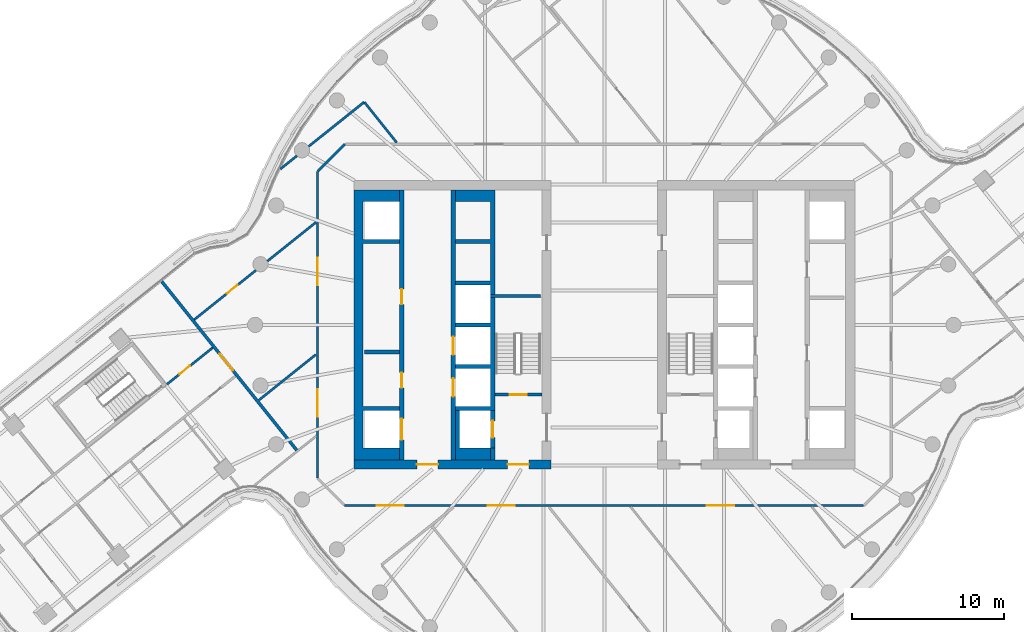
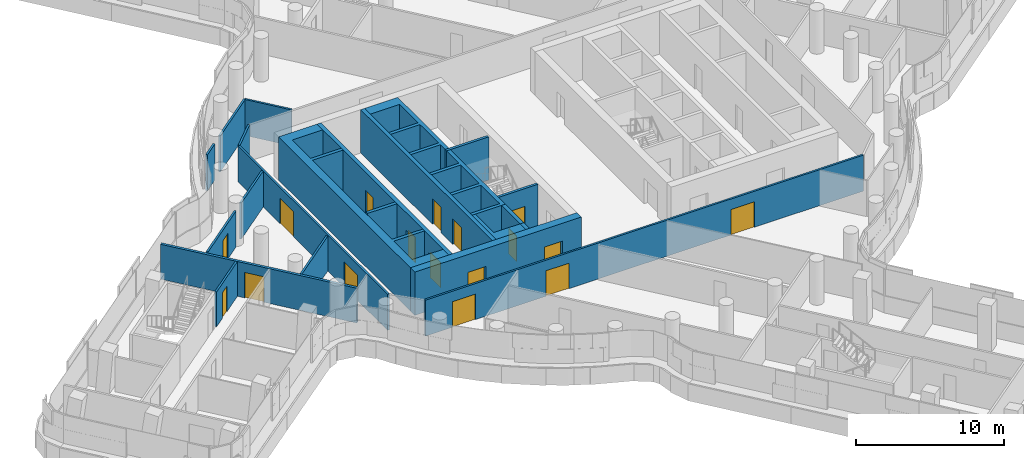
# One storey, part 20 of 31: 22 walls, 17 doors, 17 openings.
"""IFC4 building model written with IfcOpenShell, lengths in metres."""

from ifc_helpers import new_model, si_unit, direction, frame, frame_2d, origin, place, context, subcontext, project, spatial, polyline, rectangle, outline, extrude, material, layer, layer_set, type_object, element, fill, save


model = new_model("IFC4")

# Units and contexts
model_context = context("Model", 3, precision=1e-05, world=origin(), true_north=direction((0.0, 1.0)))
body_context = subcontext(model_context, "Body", "Model", "MODEL_VIEW")
ifc_project = project(units=[si_unit("LENGTHUNIT", "METRE"), si_unit("AREAUNIT", "SQUARE_METRE"), si_unit("VOLUMEUNIT", "CUBIC_METRE"), si_unit("PLANEANGLEUNIT", "RADIAN"), si_unit("MASSUNIT", "GRAM", prefix="KILO")], contexts=[model_context])

# Site, building, storey
site_placement = place(None, origin())
site = spatial("IfcSite", under=ifc_project, at=site_placement, CompositionType="ELEMENT")
building_placement = place(site_placement, origin())
building = spatial("IfcBuilding", under=site, at=building_placement, Name="Tamarind Cross Interchange Tower", CompositionType="ELEMENT")
storey_placement = place(building_placement, frame((0.0, 0.0, 174.25)))
storey = spatial("IfcBuildingStorey", under=building, at=storey_placement, Name="L43", CompositionType="ELEMENT", Elevation=174.25)

# Wall, openings, doors
ifc_material_1 = material(Name="Concrete C60", Category="concrete")
ifc_layer_1 = layer(ifc_material_1, 0.60009765625)
ifc_layer_set_1 = layer_set([ifc_layer_1], Name="Concrete C60")
wall_type_1 = type_object("IfcWallType", Name="Core wall 600 mm Concrete C60", PredefinedType="SHEAR", material=ifc_layer_set_1)
wall_1_placement = place(storey_placement, frame((-16.5, -9.199951171875, 0.0), z_axis=(0.0, 0.0, 1.0), x_axis=(1.0, 0.0, 0.0)))
wall_1 = element("IfcWall", 1, at=wall_1_placement, inside=storey, type_object=wall_type_1, Name="Core wall CWL-L43-W-S", PredefinedType="SHEAR", context=body_context, shape_type="SweptSolid", body=[
    extrude(rectangle(XDim=13.0, YDim=0.60009765625, at=frame_2d((6.5, 0.0))), origin(), (0.0, 0.0, 1.0), 3.570068359375),
])
opening_1_placement = place(wall_1_placement, frame((4.14990234375, 0.0, 0.0)))
opening_1 = element("IfcOpeningElement", 2, at=opening_1_placement, cuts=wall_1, Name="Opening DCW1", PredefinedType="OPENING", context=body_context, shape_type="SweptSolid", body=[
    extrude(rectangle(XDim=1.39990234375, YDim=2.10009765625, at=frame_2d((0.699951171875, 1.050048828125))), frame((0.0, 0.31005859375, 0.0), z_axis=(0.0, -1.0, 0.0), x_axis=(1.0, 0.0, 0.0)), (0.0, 0.0, 1.0), 0.6201171875),
])
opening_2_placement = place(wall_1_placement, frame((10.125, 0.0, 0.0)))
opening_2 = element("IfcOpeningElement", 3, at=opening_2_placement, cuts=wall_1, Name="Opening DCWF", PredefinedType="OPENING", context=body_context, shape_type="SweptSolid", body=[
    extrude(rectangle(XDim=1.39990234375, YDim=2.10009765625, at=frame_2d((0.699951171875, 1.050048828125))), frame((0.0, 0.31005859375, 0.0), z_axis=(0.0, -1.0, 0.0), x_axis=(1.0, 0.0, 0.0)), (0.0, 0.0, 1.0), 0.6201171875),
])
ifc_material_2 = material(Name="Steel, fire-resisting", Category="steel")
door_type_1 = type_object("IfcDoorType", Name="Core fire door 1400 x 2100 FD90", OperationType="SINGLE_SWING_LEFT", PredefinedType="DOOR", material=ifc_material_2)
door_1_placement = place(opening_1_placement, origin())
door_1 = element("IfcDoor", 4, at=door_1_placement, inside=storey, type_object=door_type_1, Name="L43 lift lobby door", OperationType="SINGLE_SWING_LEFT", OverallHeight=2.10009765625, OverallWidth=1.39990234375, PredefinedType="DOOR", context=body_context, shape_type="SweptSolid", body=[
    extrude(rectangle(XDim=1.39990234375, YDim=2.10009765625, at=frame_2d((0.699951171875, 1.050048828125))), frame((0.0, 0.02490234375, 0.0), z_axis=(0.0, -1.0, 0.0), x_axis=(1.0, 0.0, 0.0)), (0.0, 0.0, 1.0), 0.050048828125),
])
fill(opening_1, door_1)
door_2_placement = place(opening_2_placement, origin())
door_2 = element("IfcDoor", 5, at=door_2_placement, inside=storey, type_object=door_type_1, Name="L43 firefighting lobby end door", OperationType="SINGLE_SWING_LEFT", OverallHeight=2.10009765625, OverallWidth=1.39990234375, PredefinedType="DOOR", context=body_context, shape_type="SweptSolid", body=[
    extrude(rectangle(XDim=1.39990234375, YDim=2.10009765625, at=frame_2d((0.699951171875, 1.050048828125))), frame((0.0, 0.02490234375, 0.0), z_axis=(0.0, -1.0, 0.0), x_axis=(1.0, 0.0, 0.0)), (0.0, 0.0, 1.0), 0.050048828125),
])
fill(opening_2, door_2)

# Walls
wall_2_placement = place(storey_placement, origin())
element("IfcWall", 6, at=wall_2_placement, inside=storey, type_object=wall_type_1, Name="Core wall CWL-L43-W-A", PredefinedType="SHEAR", context=body_context, shape_type="SweptSolid", body=[
    extrude(outline(polyline([(-13.5, -8.125), (-15.89990234375, -8.125), (-15.89990234375, -5.625), (-13.5, -5.625), (-13.5, -5.375), (-15.89990234375, -5.375), (-15.89990234375, 5.375), (-13.5, 5.375), (-13.5, 5.625), (-15.89990234375, 5.625), (-15.89990234375, 8.125), (-13.5, 8.125), (-13.5, 8.89990234375), (-15.89990234375, 8.89990234375), (-16.5, 8.89990234375), (-16.5, -8.89990234375), (-15.89990234375, -8.89990234375), (-13.5, -8.89990234375), (-13.5, -8.125)])), origin(), (0.0, 0.0, 1.0), 3.570068359375),
])
ifc_layer_2 = layer(ifc_material_1, 0.199951171875)
ifc_layer_set_2 = layer_set([ifc_layer_2], Name="Concrete C60")
wall_type_2 = type_object("IfcWallType", Name="Core web wall 200 mm Concrete C60", PredefinedType="SHEAR", material=ifc_layer_set_2)
wall_3_placement = place(storey_placement, frame((-7.5, 1.89990234375, 0.0), z_axis=(0.0, 0.0, 1.0), x_axis=(1.0, 0.0, 0.0)))
element("IfcWall", 7, at=wall_3_placement, inside=storey, type_object=wall_type_2, Name="Core wall CWL-L43-W-BD", PredefinedType="SHEAR", context=body_context, shape_type="SweptSolid", body=[
    extrude(rectangle(XDim=3.300048828125, YDim=0.199951171875, at=frame_2d((1.64990234375, 0.0))), origin(), (0.0, 0.0, 1.0), 3.570068359375),
])
ifc_layer_3 = layer(ifc_material_1, 0.300048828125)
ifc_layer_set_3 = layer_set([ifc_layer_3], Name="Concrete C60")
wall_type_3 = type_object("IfcWallType", Name="Core web wall 300 mm Concrete C60", PredefinedType="SHEAR", material=ifc_layer_set_3)
wall_4_placement = place(storey_placement, origin())
element("IfcWall", 8, at=wall_4_placement, inside=storey, type_object=wall_type_3, Name="Core wall CWL-L43-W-BN", PredefinedType="SHEAR", context=body_context, shape_type="SweptSolid", body=[
    extrude(outline(polyline([(-9.800048828125, -5.375), (-9.800048828125, -5.625), (-7.5, -5.625), (-7.199951171875, -5.625), (-7.199951171875, 8.89990234375), (-7.5, 8.89990234375), (-9.800048828125, 8.89990234375), (-9.800048828125, 8.125), (-7.5, 8.125), (-7.5, 5.625), (-9.800048828125, 5.625), (-9.800048828125, 5.375), (-7.5, 5.375), (-7.5, 2.875), (-9.800048828125, 2.875), (-9.800048828125, 2.625), (-7.5, 2.625), (-7.5, 0.125), (-9.800048828125, 0.125), (-9.800048828125, -0.125), (-7.5, -0.125), (-7.5, -2.625), (-9.800048828125, -2.625), (-9.800048828125, -2.875), (-7.5, -2.875), (-7.5, -5.375), (-9.800048828125, -5.375)])), origin(), (0.0, 0.0, 1.0), 3.570068359375),
])
wall_5_placement = place(storey_placement, origin())
element("IfcWall", 9, at=wall_5_placement, inside=storey, type_object=wall_type_3, Name="Core wall CWL-L43-W-BS", PredefinedType="SHEAR", context=body_context, shape_type="SweptSolid", body=[
    extrude(outline(polyline([(-7.5, -8.125), (-9.550048828125, -8.125), (-9.550048828125, -5.625), (-9.800048828125, -5.625), (-9.800048828125, -8.125), (-9.800048828125, -8.89990234375), (-7.5, -8.89990234375), (-7.5, -8.125)])), origin(), (0.0, 0.0, 1.0), 3.570068359375),
])
wall_6_placement = place(storey_placement, frame((-7.35009765625, -8.89990234375, 0.0), z_axis=(0.0, 0.0, 1.0), x_axis=(0.0, 1.0, 0.0)))
element("IfcWall", 10, at=wall_6_placement, inside=storey, type_object=wall_type_3, Name="Core wall CWL-L43-W-BW", PredefinedType="SHEAR", context=body_context, shape_type="SweptSolid", body=[
    extrude(rectangle(XDim=0.77490234375, YDim=0.300048828125, at=frame_2d((0.387451171875, 0.0))), origin(), (0.0, 0.0, 1.0), 3.570068359375),
])

# Wall, openings, doors
wall_7_placement = place(storey_placement, frame((-13.35009765625, -8.89990234375, 0.0), z_axis=(0.0, 0.0, 1.0), x_axis=(0.0, 1.0, 0.0)))
wall_7 = element("IfcWall", 11, at=wall_7_placement, inside=storey, type_object=wall_type_3, Name="Core wall CWL-L43-W-LA", PredefinedType="SHEAR", context=body_context, shape_type="SweptSolid", body=[
    extrude(rectangle(XDim=17.7998046875, YDim=0.300048828125, at=frame_2d((8.89990234375, 0.0))), origin(), (0.0, 0.0, 1.0), 3.570068359375),
])
opening_3_placement = place(wall_7_placement, frame((1.324951171875, 0.0, 0.0)))
opening_3 = element("IfcOpeningElement", 12, at=opening_3_placement, cuts=wall_7, Name="Opening LD1L43", PredefinedType="OPENING", context=body_context, shape_type="SweptSolid", body=[
    extrude(rectangle(XDim=1.39990234375, YDim=2.10009765625, at=frame_2d((0.699951171875, 1.050048828125))), frame((0.0, 0.159912109375, 0.0), z_axis=(0.0, -1.0, 0.0), x_axis=(1.0, 0.0, 0.0)), (0.0, 0.0, 1.0), 0.320068359375),
])
opening_4_placement = place(wall_7_placement, frame((4.75390625, 0.0, 0.0)))
opening_4 = element("IfcOpeningElement", 13, at=opening_4_placement, cuts=wall_7, Name="Opening DCW9", PredefinedType="OPENING", context=body_context, shape_type="SweptSolid", body=[
    extrude(rectangle(XDim=1.0, YDim=2.10009765625, at=frame_2d((0.5, 1.050048828125))), frame((0.0, 0.159912109375, 0.0), z_axis=(0.0, -1.0, 0.0), x_axis=(1.0, 0.0, 0.0)), (0.0, 0.0, 1.0), 0.320068359375),
])
opening_5_placement = place(wall_7_placement, frame((10.25390625, 0.0, 0.0)))
opening_5 = element("IfcOpeningElement", 14, at=opening_5_placement, cuts=wall_7, Name="Opening DCW10", PredefinedType="OPENING", context=body_context, shape_type="SweptSolid", body=[
    extrude(rectangle(XDim=1.0, YDim=2.10009765625, at=frame_2d((0.5, 1.050048828125))), frame((0.0, 0.159912109375, 0.0), z_axis=(0.0, -1.0, 0.0), x_axis=(1.0, 0.0, 0.0)), (0.0, 0.0, 1.0), 0.320068359375),
])
door_type_2 = type_object("IfcDoorType", Name="Core fire door 1000 x 2100 FD90", OperationType="SINGLE_SWING_LEFT", PredefinedType="DOOR", material=ifc_material_2)
door_3_placement = place(opening_4_placement, origin())
door_3 = element("IfcDoor", 15, at=door_3_placement, inside=storey, type_object=door_type_2, Name="L43 Cleaner's store door", OperationType="SINGLE_SWING_LEFT", OverallHeight=2.10009765625, OverallWidth=1.0, PredefinedType="DOOR", context=body_context, shape_type="SweptSolid", body=[
    extrude(rectangle(XDim=1.0, YDim=2.10009765625, at=frame_2d((0.5, 1.050048828125))), frame((0.0, 0.02490234375, 0.0), z_axis=(0.0, -1.0, 0.0), x_axis=(1.0, 0.0, 0.0)), (0.0, 0.0, 1.0), 0.050048828125),
])
fill(opening_4, door_3)
door_4_placement = place(opening_5_placement, origin())
door_4 = element("IfcDoor", 16, at=door_4_placement, inside=storey, type_object=door_type_2, Name="L43 Print room door", OperationType="SINGLE_SWING_LEFT", OverallHeight=2.10009765625, OverallWidth=1.0, PredefinedType="DOOR", context=body_context, shape_type="SweptSolid", body=[
    extrude(rectangle(XDim=1.0, YDim=2.10009765625, at=frame_2d((0.5, 1.050048828125))), frame((0.0, 0.02490234375, 0.0), z_axis=(0.0, -1.0, 0.0), x_axis=(1.0, 0.0, 0.0)), (0.0, 0.0, 1.0), 0.050048828125),
])
fill(opening_5, door_4)
ifc_material_3 = material(Name="Stainless steel panel", Category="steel")
door_type_3 = type_object("IfcDoorType", Name="Lift landing door 1400 x 2100 E 120", OperationType="SLIDING_TO_LEFT", PredefinedType="DOOR", material=ifc_material_3)
door_5_placement = place(opening_3_placement, origin())
door_5 = element("IfcDoor", 17, at=door_5_placement, inside=storey, type_object=door_type_3, Name="L43 landing door LF1", OperationType="SLIDING_TO_LEFT", OverallHeight=2.10009765625, OverallWidth=1.39990234375, PredefinedType="DOOR", context=body_context, shape_type="SweptSolid", body=[
    extrude(rectangle(XDim=1.39990234375, YDim=2.10009765625, at=frame_2d((0.699951171875, 1.050048828125))), frame((0.0, 0.02490234375, 0.0), z_axis=(0.0, -1.0, 0.0), x_axis=(1.0, 0.0, 0.0)), (0.0, 0.0, 1.0), 0.050048828125),
])
fill(opening_3, door_5)

wall_8_placement = place(storey_placement, frame((-9.949951171875, -8.89990234375, 0.0), z_axis=(0.0, 0.0, 1.0), x_axis=(0.0, 1.0, 0.0)))
wall_8 = element("IfcWall", 18, at=wall_8_placement, inside=storey, type_object=wall_type_3, Name="Core wall CWL-L43-W-LB", PredefinedType="SHEAR", context=body_context, shape_type="SweptSolid", body=[
    extrude(rectangle(XDim=17.7998046875, YDim=0.300048828125, at=frame_2d((8.89990234375, 0.0))), origin(), (0.0, 0.0, 1.0), 3.570068359375),
])
opening_6_placement = place(wall_8_placement, frame((4.175048828125, 0.0, 0.0)))
opening_6 = element("IfcOpeningElement", 19, at=opening_6_placement, cuts=wall_8, Name="Opening LD8L43", PredefinedType="OPENING", context=body_context, shape_type="SweptSolid", body=[
    extrude(rectangle(XDim=1.199951171875, YDim=2.10009765625, at=frame_2d((0.60009765625, 1.050048828125))), frame((0.0, 0.159912109375, 0.0), z_axis=(0.0, -1.0, 0.0), x_axis=(1.0, 0.0, 0.0)), (0.0, 0.0, 1.0), 0.320068359375),
])
opening_7_placement = place(wall_8_placement, frame((6.925048828125, 0.0, 0.0)))
opening_7 = element("IfcOpeningElement", 20, at=opening_7_placement, cuts=wall_8, Name="Opening LD9L43", PredefinedType="OPENING", context=body_context, shape_type="SweptSolid", body=[
    extrude(rectangle(XDim=1.199951171875, YDim=2.10009765625, at=frame_2d((0.60009765625, 1.050048828125))), frame((0.0, 0.159912109375, 0.0), z_axis=(0.0, -1.0, 0.0), x_axis=(1.0, 0.0, 0.0)), (0.0, 0.0, 1.0), 0.320068359375),
])
door_type_4 = type_object("IfcDoorType", Name="Lift landing door 1200 x 2100 E 120", OperationType="SLIDING_TO_LEFT", PredefinedType="DOOR", material=ifc_material_3)
door_6_placement = place(opening_6_placement, origin())
door_6 = element("IfcDoor", 21, at=door_6_placement, inside=storey, type_object=door_type_4, Name="L43 landing door LF8", OperationType="SLIDING_TO_LEFT", OverallHeight=2.10009765625, OverallWidth=1.199951171875, PredefinedType="DOOR", context=body_context, shape_type="SweptSolid", body=[
    extrude(rectangle(XDim=1.199951171875, YDim=2.10009765625, at=frame_2d((0.60009765625, 1.050048828125))), frame((0.0, 0.02490234375, 0.0), z_axis=(0.0, -1.0, 0.0), x_axis=(1.0, 0.0, 0.0)), (0.0, 0.0, 1.0), 0.050048828125),
])
fill(opening_6, door_6)
door_7_placement = place(opening_7_placement, origin())
door_7 = element("IfcDoor", 22, at=door_7_placement, inside=storey, type_object=door_type_4, Name="L43 landing door LF9", OperationType="SLIDING_TO_LEFT", OverallHeight=2.10009765625, OverallWidth=1.199951171875, PredefinedType="DOOR", context=body_context, shape_type="SweptSolid", body=[
    extrude(rectangle(XDim=1.199951171875, YDim=2.10009765625, at=frame_2d((0.60009765625, 1.050048828125))), frame((0.0, 0.02490234375, 0.0), z_axis=(0.0, -1.0, 0.0), x_axis=(1.0, 0.0, 0.0)), (0.0, 0.0, 1.0), 0.050048828125),
])
fill(opening_7, door_7)

# Wall, opening, door
wall_9_placement = place(storey_placement, frame((-7.35009765625, -8.125, 0.0), z_axis=(0.0, 0.0, 1.0), x_axis=(0.0, 1.0, 0.0)))
wall_9 = element("IfcWall", 23, at=wall_9_placement, inside=storey, type_object=wall_type_3, Name="Core wall CWL-L43-W-FF", PredefinedType="SHEAR", context=body_context, shape_type="SweptSolid", body=[
    extrude(rectangle(XDim=2.5, YDim=0.300048828125, at=frame_2d((1.25, 0.0))), origin(), (0.0, 0.0, 1.0), 3.570068359375),
])
opening_8_placement = place(wall_9_placement, frame((0.699951171875, 0.0, 0.0)))
opening_8 = element("IfcOpeningElement", 24, at=opening_8_placement, cuts=wall_9, Name="Opening LD7L43", PredefinedType="OPENING", context=body_context, shape_type="SweptSolid", body=[
    extrude(rectangle(XDim=1.10009765625, YDim=2.10009765625, at=frame_2d((0.550048828125, 1.050048828125))), frame((0.0, 0.159912109375, 0.0), z_axis=(0.0, -1.0, 0.0), x_axis=(1.0, 0.0, 0.0)), (0.0, 0.0, 1.0), 0.320068359375),
])
door_type_5 = type_object("IfcDoorType", Name="Lift landing door 1100 x 2100 E 120", OperationType="SLIDING_TO_LEFT", PredefinedType="DOOR", material=ifc_material_3)
door_8_placement = place(opening_8_placement, origin())
door_8 = element("IfcDoor", 25, at=door_8_placement, inside=storey, type_object=door_type_5, Name="L43 landing door LF7", OperationType="SLIDING_TO_LEFT", OverallHeight=2.10009765625, OverallWidth=1.10009765625, PredefinedType="DOOR", context=body_context, shape_type="SweptSolid", body=[
    extrude(rectangle(XDim=1.10009765625, YDim=2.10009765625, at=frame_2d((0.550048828125, 1.050048828125))), frame((0.0, 0.02490234375, 0.0), z_axis=(0.0, -1.0, 0.0), x_axis=(1.0, 0.0, 0.0)), (0.0, 0.0, 1.0), 0.050048828125),
])
fill(opening_8, door_8)

# Wall
ifc_material_4 = material(Name="Gypsum board partition on steel studs", Category="steel")
ifc_layer_4 = layer(ifc_material_4, 0.14990234375)
ifc_layer_set_4 = layer_set([ifc_layer_4], Name="Gypsum board partition on steel studs")
wall_type_4 = type_object("IfcWallType", Name="Partition 150 mm EI 120", PredefinedType="PARTITIONING", material=ifc_layer_set_4)
wall_10_placement = place(storey_placement, frame((-15.802490234375, 14.664306640625, 0.0), z_axis=(0.0, 0.0, 1.0), x_axis=(0.624703791161, -0.780861814477, 0.0)))
element("IfcWall", 26, at=wall_10_placement, inside=storey, type_object=wall_type_4, Name="Partition L43-010", PredefinedType="PARTITIONING", context=body_context, shape_type="SweptSolid", body=[
    extrude(rectangle(XDim=3.405029296875, YDim=0.14990234375, at=frame_2d((1.70263671875, 0.0))), origin(), (0.0, 0.0, 1.0), 2.969970703125),
])

# Wall, openings, doors
wall_11_placement = place(storey_placement, frame((-17.10009765625, -11.89990234375, 0.0), z_axis=(0.0, 0.0, 1.0), x_axis=(1.0, 0.0, 0.0)))
wall_11 = element("IfcWall", 27, at=wall_11_placement, inside=storey, type_object=wall_type_4, Name="Partition L43-038", PredefinedType="PARTITIONING", context=body_context, shape_type="SweptSolid", body=[
    extrude(rectangle(XDim=34.1650390625, YDim=0.14990234375, at=frame_2d((17.08251953125, 0.0))), origin(), (0.0, 0.0, 1.0), 2.969970703125),
])
opening_9_placement = place(wall_11_placement, frame((9.4140625, 0.0, 0.0)))
opening_9 = element("IfcOpeningElement", 28, at=opening_9_placement, cuts=wall_11, Name="Opening D19", PredefinedType="OPENING", context=body_context, shape_type="SweptSolid", body=[
    extrude(rectangle(XDim=1.800048828125, YDim=2.10009765625, at=frame_2d((0.89990234375, 1.050048828125))), frame((0.0, 0.0849609375, 0.0), z_axis=(0.0, -1.0, 0.0), x_axis=(1.0, 0.0, 0.0)), (0.0, 0.0, 1.0), 0.169921875),
])
opening_10_placement = place(wall_11_placement, frame((2.10009765625, 0.0, 0.0)))
opening_10 = element("IfcOpeningElement", 29, at=opening_10_placement, cuts=wall_11, Name="Opening D20", PredefinedType="OPENING", context=body_context, shape_type="SweptSolid", body=[
    extrude(rectangle(XDim=1.800048828125, YDim=2.10009765625, at=frame_2d((0.89990234375, 1.050048828125))), frame((0.0, 0.0849609375, 0.0), z_axis=(0.0, -1.0, 0.0), x_axis=(1.0, 0.0, 0.0)), (0.0, 0.0, 1.0), 0.169921875),
])
opening_11_placement = place(wall_11_placement, frame((23.85302734375, 0.0, 0.0)))
opening_11 = element("IfcOpeningElement", 30, at=opening_11_placement, cuts=wall_11, Name="Opening D21", PredefinedType="OPENING", context=body_context, shape_type="SweptSolid", body=[
    extrude(rectangle(XDim=1.800048828125, YDim=2.10009765625, at=frame_2d((0.89990234375, 1.050048828125))), frame((0.0, 0.0849609375, 0.0), z_axis=(0.0, -1.0, 0.0), x_axis=(1.0, 0.0, 0.0)), (0.0, 0.0, 1.0), 0.169921875),
])
ifc_material_5 = material(Name="Fire-resisting door set")
door_type_6 = type_object("IfcDoorType", Name="Interior door 1800 x 2100 FD60S", OperationType="DOUBLE_DOOR_SINGLE_SWING", PredefinedType="DOOR", material=ifc_material_5)
door_9_placement = place(opening_9_placement, origin())
door_9 = element("IfcDoor", 31, at=door_9_placement, inside=storey, type_object=door_type_6, Name="Door D19", OperationType="DOUBLE_DOOR_SINGLE_SWING", OverallHeight=2.10009765625, OverallWidth=1.800048828125, PredefinedType="DOOR", context=body_context, shape_type="SweptSolid", body=[
    extrude(rectangle(XDim=1.800048828125, YDim=2.10009765625, at=frame_2d((0.89990234375, 1.050048828125))), frame((0.0, 0.02490234375, 0.0), z_axis=(0.0, -1.0, 0.0), x_axis=(1.0, 0.0, 0.0)), (0.0, 0.0, 1.0), 0.050048828125),
])
fill(opening_9, door_9)
door_10_placement = place(opening_10_placement, frame((1.800048828125, 0.0, 0.0), z_axis=(0.0, 0.0, 1.0), x_axis=(-1.0, 0.0, 0.0)))
door_10 = element("IfcDoor", 32, at=door_10_placement, inside=storey, type_object=door_type_6, Name="Door D20", OperationType="DOUBLE_DOOR_SINGLE_SWING", OverallHeight=2.10009765625, OverallWidth=1.800048828125, PredefinedType="DOOR", context=body_context, shape_type="SweptSolid", body=[
    extrude(rectangle(XDim=1.800048828125, YDim=2.10009765625, at=frame_2d((0.89990234375, 1.050048828125))), frame((0.0, 0.02490234375, 0.0), z_axis=(0.0, -1.0, 0.0), x_axis=(1.0, 0.0, 0.0)), (0.0, 0.0, 1.0), 0.050048828125),
])
fill(opening_10, door_10)
door_11_placement = place(opening_11_placement, frame((1.800048828125, 0.0, 0.0), z_axis=(0.0, 0.0, 1.0), x_axis=(-1.0, 0.0, 0.0)))
door_11 = element("IfcDoor", 33, at=door_11_placement, inside=storey, type_object=door_type_6, Name="Door D21", OperationType="DOUBLE_DOOR_SINGLE_SWING", OverallHeight=2.10009765625, OverallWidth=1.800048828125, PredefinedType="DOOR", context=body_context, shape_type="SweptSolid", body=[
    extrude(rectangle(XDim=1.800048828125, YDim=2.10009765625, at=frame_2d((0.89990234375, 1.050048828125))), frame((0.0, 0.02490234375, 0.0), z_axis=(0.0, -1.0, 0.0), x_axis=(1.0, 0.0, 0.0)), (0.0, 0.0, 1.0), 0.050048828125),
])
fill(opening_11, door_11)

# Wall, opening, door
wall_12_placement = place(storey_placement, frame((-28.8095703125, -3.910888671875, 0.0), z_axis=(0.0, 0.0, 1.0), x_axis=(0.780887319863, 0.624671908827, 0.0)))
wall_12 = element("IfcWall", 34, at=wall_12_placement, inside=storey, type_object=wall_type_4, Name="Partition L43-041", PredefinedType="PARTITIONING", context=body_context, shape_type="SweptSolid", body=[
    extrude(rectangle(XDim=3.8603515625, YDim=0.14990234375, at=frame_2d((1.93017578125, 0.0))), origin(), (0.0, 0.0, 1.0), 2.8701171875),
])
opening_12_placement = place(wall_12_placement, frame((1.050048828125, 0.0, 0.0)))
opening_12 = element("IfcOpeningElement", 35, at=opening_12_placement, cuts=wall_12, Name="Opening D26", PredefinedType="OPENING", context=body_context, shape_type="SweptSolid", body=[
    extrude(rectangle(XDim=0.89990234375, YDim=2.10009765625, at=frame_2d((0.449951171875, 1.050048828125))), frame((0.0, 0.0849609375, 0.0), z_axis=(0.0, -1.0, 0.0), x_axis=(1.0, 0.0, 0.0)), (0.0, 0.0, 1.0), 0.169921875),
])
door_type_7 = type_object("IfcDoorType", Name="Interior door 900 x 2100 FD60S", OperationType="SINGLE_SWING_LEFT", PredefinedType="DOOR", material=ifc_material_5)
door_12_placement = place(opening_12_placement, origin())
door_12 = element("IfcDoor", 36, at=door_12_placement, inside=storey, type_object=door_type_7, Name="Door D26", OperationType="SINGLE_SWING_RIGHT", OverallHeight=2.10009765625, OverallWidth=0.89990234375, PredefinedType="DOOR", context=body_context, shape_type="SweptSolid", body=[
    extrude(rectangle(XDim=0.89990234375, YDim=2.10009765625, at=frame_2d((0.449951171875, 1.050048828125))), frame((0.0, 0.02490234375, 0.0), z_axis=(0.0, -1.0, 0.0), x_axis=(1.0, 0.0, 0.0)), (0.0, 0.0, 1.0), 0.050048828125),
])
fill(opening_12, door_12)

wall_13_placement = place(storey_placement, frame((-27.012939453125, 0.343505859375, 0.0), z_axis=(0.0, 0.0, 1.0), x_axis=(0.780855081302, 0.624712207344, 0.0)))
wall_13 = element("IfcWall", 37, at=wall_13_placement, inside=storey, type_object=wall_type_4, Name="Partition L43-043", PredefinedType="PARTITIONING", context=body_context, shape_type="SweptSolid", body=[
    extrude(rectangle(XDim=5.205078125, YDim=0.14990234375, at=frame_2d((2.6025390625, 0.0))), origin(), (0.0, 0.0, 1.0), 2.969970703125),
])
opening_13_placement = place(wall_13_placement, frame((2.75, 0.0, 0.0)))
opening_13 = element("IfcOpeningElement", 38, at=opening_13_placement, cuts=wall_13, Name="Opening D31", PredefinedType="OPENING", context=body_context, shape_type="SweptSolid", body=[
    extrude(rectangle(XDim=0.89990234375, YDim=2.10009765625, at=frame_2d((0.449951171875, 1.050048828125))), frame((0.0, 0.0849609375, 0.0), z_axis=(0.0, -1.0, 0.0), x_axis=(1.0, 0.0, 0.0)), (0.0, 0.0, 1.0), 0.169921875),
])
door_13_placement = place(opening_13_placement, origin())
door_13 = element("IfcDoor", 39, at=door_13_placement, inside=storey, type_object=door_type_7, Name="Door D31", OperationType="SINGLE_SWING_LEFT", OverallHeight=2.10009765625, OverallWidth=0.89990234375, PredefinedType="DOOR", context=body_context, shape_type="SweptSolid", body=[
    extrude(rectangle(XDim=0.89990234375, YDim=2.10009765625, at=frame_2d((0.449951171875, 1.050048828125))), frame((0.0, 0.02490234375, 0.0), z_axis=(0.0, -1.0, 0.0), x_axis=(1.0, 0.0, 0.0)), (0.0, 0.0, 1.0), 0.050048828125),
])
fill(opening_13, door_13)

# Walls
wall_14_placement = place(storey_placement, frame((-22.1953125, 4.19775390625, 0.0), z_axis=(0.0, 0.0, 1.0), x_axis=(0.780862978875, 0.624702335694, 0.0)))
element("IfcWall", 40, at=wall_14_placement, inside=storey, type_object=wall_type_4, Name="Partition L43-044", PredefinedType="PARTITIONING", context=body_context, shape_type="SweptSolid", body=[
    extrude(rectangle(XDim=4.085205078125, YDim=0.14990234375, at=frame_2d((2.04248046875, 0.0))), origin(), (0.0, 0.0, 1.0), 2.969970703125),
])
wall_15_placement = place(storey_placement, frame((-22.750244140625, -4.9541015625, 0.0), z_axis=(0.0, 0.0, 1.0), x_axis=(0.780873776027, 0.624688839274, 0.0)))
element("IfcWall", 41, at=wall_15_placement, inside=storey, type_object=wall_type_4, Name="Partition L43-046", PredefinedType="PARTITIONING", context=body_context, shape_type="SweptSolid", body=[
    extrude(rectangle(XDim=4.795654296875, YDim=0.14990234375, at=frame_2d((2.39794921875, 0.0))), origin(), (0.0, 0.0, 1.0), 2.8701171875),
])
wall_16_placement = place(storey_placement, frame((-21.333251953125, 10.266357421875, 0.0), z_axis=(0.0, 0.0, 1.0), x_axis=(0.780920261551, 0.62463072699, 0.0)))
element("IfcWall", 42, at=wall_16_placement, inside=storey, type_object=wall_type_4, Name="Partition L43-047", PredefinedType="PARTITIONING", context=body_context, shape_type="SweptSolid", body=[
    extrude(rectangle(XDim=1.388671875, YDim=0.14990234375, at=frame_2d((0.6943359375, 0.0))), origin(), (0.0, 0.0, 1.0), 2.969970703125),
])
wall_17_placement = place(storey_placement, frame((-19.47607421875, 11.751708984375, 0.0), z_axis=(0.0, 0.0, 1.0), x_axis=(0.780939933327, 0.624606132323, 0.0)))
element("IfcWall", 43, at=wall_17_placement, inside=storey, type_object=wall_type_4, Name="Partition L43-048", PredefinedType="PARTITIONING", context=body_context, shape_type="SweptSolid", body=[
    extrude(rectangle(XDim=4.688232421875, YDim=0.14990234375, at=frame_2d((2.34423828125, 0.0))), origin(), (0.0, 0.0, 1.0), 2.969970703125),
])
wall_18_placement = place(storey_placement, frame((-18.87158203125, 10.12841796875, 0.0), z_axis=(0.0, 0.0, 1.0), x_axis=(0.707106781187, 0.707106781187, 0.0)))
element("IfcWall", 44, at=wall_18_placement, inside=storey, type_object=wall_type_4, Name="Partition L43-073", PredefinedType="PARTITIONING", context=body_context, shape_type="SweptSolid", body=[
    extrude(rectangle(XDim=2.50537109375, YDim=0.14990234375, at=frame_2d((1.252685546875, 0.0))), origin(), (0.0, 0.0, 1.0), 2.969970703125),
])

# Wall, openings, doors
wall_19_placement = place(storey_placement, frame((-18.89990234375, -10.10009765625, 0.0), z_axis=(0.0, 0.0, 1.0), x_axis=(0.0, 1.0, 0.0)))
wall_19 = element("IfcWall", 45, at=wall_19_placement, inside=storey, type_object=wall_type_4, Name="Partition L43-075", PredefinedType="PARTITIONING", context=body_context, shape_type="SweptSolid", body=[
    extrude(rectangle(XDim=20.2001953125, YDim=0.14990234375, at=frame_2d((10.10009765625, 0.0))), origin(), (0.0, 0.0, 1.0), 2.969970703125),
])
opening_14_placement = place(wall_19_placement, frame((12.72607421875, 0.0, 0.0)))
opening_14 = element("IfcOpeningElement", 46, at=opening_14_placement, cuts=wall_19, Name="Opening D40", PredefinedType="OPENING", context=body_context, shape_type="SweptSolid", body=[
    extrude(rectangle(XDim=1.800048828125, YDim=2.10009765625, at=frame_2d((0.89990234375, 1.050048828125))), frame((0.0, 0.0849609375, 0.0), z_axis=(0.0, -1.0, 0.0), x_axis=(1.0, 0.0, 0.0)), (0.0, 0.0, 1.0), 0.169921875),
])
opening_15_placement = place(wall_19_placement, frame((4.047119140625, 0.0, 0.0)))
opening_15 = element("IfcOpeningElement", 47, at=opening_15_placement, cuts=wall_19, Name="Opening D41", PredefinedType="OPENING", context=body_context, shape_type="SweptSolid", body=[
    extrude(rectangle(XDim=1.800048828125, YDim=2.10009765625, at=frame_2d((0.89990234375, 1.050048828125))), frame((0.0, 0.0849609375, 0.0), z_axis=(0.0, -1.0, 0.0), x_axis=(1.0, 0.0, 0.0)), (0.0, 0.0, 1.0), 0.169921875),
])
door_14_placement = place(opening_14_placement, frame((1.800048828125, 0.0, 0.0), z_axis=(0.0, 0.0, 1.0), x_axis=(-1.0, 0.0, 0.0)))
door_14 = element("IfcDoor", 48, at=door_14_placement, inside=storey, type_object=door_type_6, Name="Door D40", OperationType="DOUBLE_DOOR_SINGLE_SWING", OverallHeight=2.10009765625, OverallWidth=1.800048828125, PredefinedType="DOOR", context=body_context, shape_type="SweptSolid", body=[
    extrude(rectangle(XDim=1.800048828125, YDim=2.10009765625, at=frame_2d((0.89990234375, 1.050048828125))), frame((0.0, 0.02490234375, 0.0), z_axis=(0.0, -1.0, 0.0), x_axis=(1.0, 0.0, 0.0)), (0.0, 0.0, 1.0), 0.050048828125),
])
fill(opening_14, door_14)
door_15_placement = place(opening_15_placement, origin())
door_15 = element("IfcDoor", 49, at=door_15_placement, inside=storey, type_object=door_type_6, Name="Door D41", OperationType="DOUBLE_DOOR_SINGLE_SWING", OverallHeight=2.10009765625, OverallWidth=1.800048828125, PredefinedType="DOOR", context=body_context, shape_type="SweptSolid", body=[
    extrude(rectangle(XDim=1.800048828125, YDim=2.10009765625, at=frame_2d((0.89990234375, 1.050048828125))), frame((0.0, 0.02490234375, 0.0), z_axis=(0.0, -1.0, 0.0), x_axis=(1.0, 0.0, 0.0)), (0.0, 0.0, 1.0), 0.050048828125),
])
fill(opening_15, door_15)

# Wall, opening, door
ifc_layer_5 = layer(ifc_material_4, 0.199951171875)
ifc_layer_set_5 = layer_set([ifc_layer_5], Name="Gypsum board partition on steel studs")
wall_type_5 = type_object("IfcWallType", Name="Partition 200 mm EI 180", PredefinedType="PARTITIONING", material=ifc_layer_set_5)
wall_20_placement = place(storey_placement, frame((-29.15234375, 2.857177734375, 0.0), z_axis=(0.0, 0.0, 1.0), x_axis=(0.624692956649, -0.780870482163, 0.0)))
wall_20 = element("IfcWall", 50, at=wall_20_placement, inside=storey, type_object=wall_type_5, Name="Partition L43-007", PredefinedType="PARTITIONING", context=body_context, shape_type="SweptSolid", body=[
    extrude(rectangle(XDim=14.239501953125, YDim=0.199951171875, at=frame_2d((7.11962890625, 0.0))), origin(), (0.0, 0.0, 1.0), 2.8701171875),
])
opening_16_placement = place(wall_20_placement, frame((6.099365234375, 0.0, 0.0)))
opening_16 = element("IfcOpeningElement", 51, at=opening_16_placement, cuts=wall_20, Name="Opening D02", PredefinedType="OPENING", context=body_context, shape_type="SweptSolid", body=[
    extrude(rectangle(XDim=1.39990234375, YDim=2.10009765625, at=frame_2d((0.699951171875, 1.050048828125))), frame((0.0, 0.10986328125, 0.0), z_axis=(0.0, -1.0, 0.0), x_axis=(1.0, 0.0, 0.0)), (0.0, 0.0, 1.0), 0.219970703125),
])
door_type_8 = type_object("IfcDoorType", Name="Interior door 1400 x 2100 FD120S", OperationType="DOUBLE_DOOR_SINGLE_SWING", PredefinedType="DOOR", material=ifc_material_5)
door_16_placement = place(opening_16_placement, origin())
door_16 = element("IfcDoor", 52, at=door_16_placement, inside=storey, type_object=door_type_8, Name="Door D02", OperationType="DOUBLE_DOOR_SINGLE_SWING", OverallHeight=2.10009765625, OverallWidth=1.39990234375, PredefinedType="DOOR", context=body_context, shape_type="SweptSolid", body=[
    extrude(rectangle(XDim=1.39990234375, YDim=2.10009765625, at=frame_2d((0.699951171875, 1.050048828125))), frame((0.0, 0.02490234375, 0.0), z_axis=(0.0, -1.0, 0.0), x_axis=(1.0, 0.0, 0.0)), (0.0, 0.0, 1.0), 0.050048828125),
])
fill(opening_16, door_16)

# Wall
ifc_material_6 = material(Name="Concrete C40", Category="concrete")
ifc_layer_6 = layer(ifc_material_6, 0.25)
ifc_layer_set_6 = layer_set([ifc_layer_6], Name="Concrete C40")
wall_type_6 = type_object("IfcWallType", Name="Shaft and lobby wall 250 mm Concrete C40", PredefinedType="PARTITIONING", material=ifc_layer_set_6)
wall_21_placement = place(storey_placement, frame((-15.800048828125, -1.7919921875, 0.0), z_axis=(0.0, 0.0, 1.0), x_axis=(1.0, 0.0, 0.0)))
element("IfcWall", 53, at=wall_21_placement, inside=storey, type_object=wall_type_6, Name="Shaft wall CWL-L43-W-FPA1", PredefinedType="PARTITIONING", context=body_context, shape_type="SweptSolid", body=[
    extrude(rectangle(XDim=2.300048828125, YDim=0.25, at=frame_2d((1.14990234375, 0.0))), origin(), (0.0, 0.0, 1.0), 3.570068359375),
])

# Wall, opening, door
ifc_layer_7 = layer(ifc_material_6, 0.199951171875)
ifc_layer_set_7 = layer_set([ifc_layer_7], Name="Concrete C40")
wall_type_7 = type_object("IfcWallType", Name="Stair shaft wall 200 mm Concrete C40", PredefinedType="SHEAR", material=ifc_layer_set_7)
wall_22_placement = place(storey_placement, frame((-7.199951171875, -4.60009765625, 0.0), z_axis=(0.0, 0.0, 1.0), x_axis=(1.0, 0.0, 0.0)))
wall_22 = element("IfcWall", 54, at=wall_22_placement, inside=storey, type_object=wall_type_7, Name="Core wall CWL-L43-W-SD", PredefinedType="SHEAR", context=body_context, shape_type="SweptSolid", body=[
    extrude(rectangle(XDim=3.099853515625, YDim=0.199951171875, at=frame_2d((1.5498046875, 0.0))), origin(), (0.0, 0.0, 1.0), 3.570068359375),
])
opening_17_placement = place(wall_22_placement, frame((0.97509765625, 0.0, 0.0)))
opening_17 = element("IfcOpeningElement", 55, at=opening_17_placement, cuts=wall_22, Name="Opening DCW6", PredefinedType="OPENING", context=body_context, shape_type="SweptSolid", body=[
    extrude(rectangle(XDim=1.10009765625, YDim=2.10009765625, at=frame_2d((0.550048828125, 1.050048828125))), frame((0.0, 0.10986328125, 0.0), z_axis=(0.0, -1.0, 0.0), x_axis=(1.0, 0.0, 0.0)), (0.0, 0.0, 1.0), 0.219970703125),
])
door_type_9 = type_object("IfcDoorType", Name="Core fire door 1100 x 2100 FD90", OperationType="SINGLE_SWING_LEFT", PredefinedType="DOOR", material=ifc_material_2)
door_17_placement = place(opening_17_placement, origin())
door_17 = element("IfcDoor", 56, at=door_17_placement, inside=storey, type_object=door_type_9, Name="L43 stair door", OperationType="SINGLE_SWING_LEFT", OverallHeight=2.10009765625, OverallWidth=1.10009765625, PredefinedType="DOOR", context=body_context, shape_type="SweptSolid", body=[
    extrude(rectangle(XDim=1.10009765625, YDim=2.10009765625, at=frame_2d((0.550048828125, 1.050048828125))), frame((0.0, 0.02490234375, 0.0), z_axis=(0.0, -1.0, 0.0), x_axis=(1.0, 0.0, 0.0)), (0.0, 0.0, 1.0), 0.050048828125),
])
fill(opening_17, door_17)

save(model, "model.ifc")
